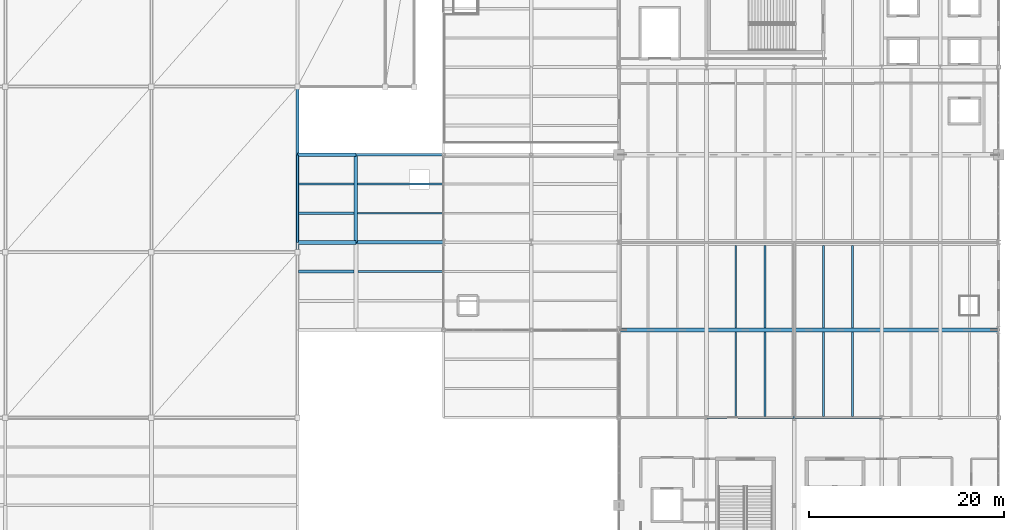
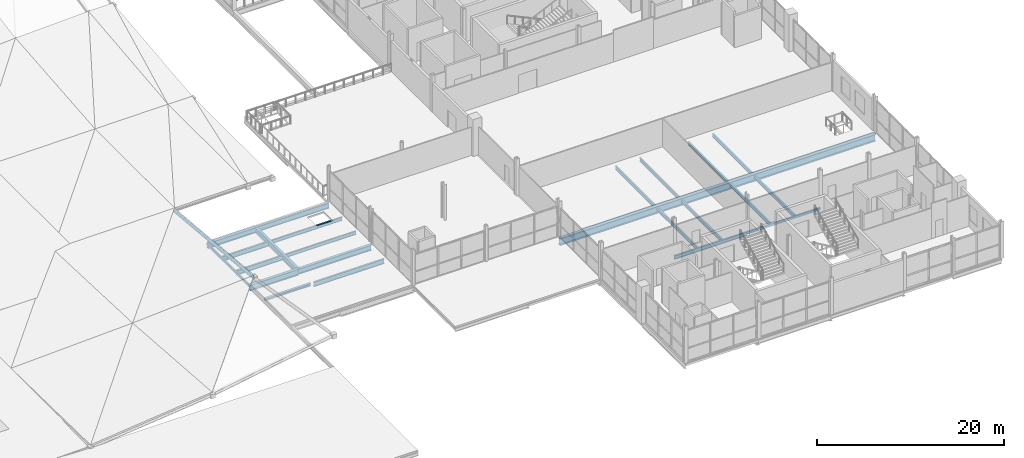
# One storey, part 18 of 69: 23 beams, 1 member.
"""IFC4 building model written with IfcOpenShell, lengths in metres."""

import ifcopenshell
import ifcopenshell.guid

model = None  # the IFC model being written
_history = None  # IfcOwnerHistory: only IFC2X3 demands one
_inside = {}  # id of a spatial element -> (the spatial element, [elements in it])
_under = {}  # id of a project, library or spatial element -> (it, [spatial elements below it])
_declared = {}  # id of a project -> (the project, [libraries it declares])
_typed = {}  # id of a type object -> (the type object, [elements of that type])
_made_of = {}  # id of a material, layer set ... -> (it, [elements and type objects made of it])


def new_model(schema):
    """Start an empty IFC model of exactly this schema.

    Asked for "IFC4X3", IfcOpenShell would pick the latest addendum, in which some entities
    have other attributes; the version numbers below select the first issue.
    IFC2X3 requires an IfcOwnerHistory on every rooted entity: one is made here for all.
    """
    global model, _history
    if schema == "IFC4X3":
        model = ifcopenshell.file(schema_version=(4, 3, 0, 0))
    else:
        model = ifcopenshell.file(schema=schema)
    _inside.clear()
    _under.clear()
    _declared.clear()
    _typed.clear()
    _made_of.clear()
    _history = None
    if model.schema == "IFC2X3":
        org = make("IfcOrganization", Name="unknown")
        user = make(
            "IfcPersonAndOrganization",
            ThePerson=make("IfcPerson", FamilyName="unknown"),
            TheOrganization=org,
        )
        app = make(
            "IfcApplication",
            ApplicationDeveloper=org,
            Version="unknown",
            ApplicationFullName="unknown",
            ApplicationIdentifier="unknown",
        )
        _history = make(
            "IfcOwnerHistory",
            OwningUser=user,
            OwningApplication=app,
            ChangeAction="ADDED",
            CreationDate=0,
        )
    return model


def make(cls, **values):
    """One entity of the class cls with the attributes given. An attribute that is None is left unset."""
    return model.create_entity(
        cls, **{name: value for name, value in values.items() if value is not None}
    )


def rooted(cls, **values):
    """An entity with a GlobalId (a new one), such as an element, a storey or a relation."""
    return make(cls, GlobalId=ifcopenshell.guid.new(), OwnerHistory=_history, **values)


def si_unit(unit_type, name, prefix=None):
    """IfcSIUnit, for example si_unit("LENGTHUNIT", "METRE", prefix="MILLI")."""
    return make("IfcSIUnit", UnitType=unit_type, Prefix=prefix, Name=name)


def assignment(units):
    """IfcUnitAssignment: the units of a project."""
    return None if units is None else make("IfcUnitAssignment", Units=units)


def point(xyz):
    """IfcCartesianPoint."""
    return None if xyz is None else make("IfcCartesianPoint", Coordinates=xyz)


def direction(xyz):
    """IfcDirection."""
    return None if xyz is None else make("IfcDirection", DirectionRatios=xyz)


def frame(location, z_axis=None, x_axis=None):
    """IfcAxis2Placement3D, a coordinate frame: its origin and axes. An axis left out is left unset."""
    return make(
        "IfcAxis2Placement3D",
        Location=point(location),
        Axis=direction(z_axis),
        RefDirection=direction(x_axis),
    )


def frame_2d(location, x_axis=None):
    """IfcAxis2Placement2D, a coordinate frame in the plane: its origin and x axis."""
    return make(
        "IfcAxis2Placement2D", Location=point(location), RefDirection=direction(x_axis)
    )


def origin():
    """The frame at (0, 0, 0) with its axes left unset."""
    return frame((0.0, 0.0, 0.0))


def origin_2d():
    """The frame at (0, 0) in the plane with its x axis left unset."""
    return frame_2d((0.0, 0.0))


def place(relative_to, where):
    """IfcLocalPlacement: puts the frame where relative to a parent placement (None: the world)."""
    return make(
        "IfcLocalPlacement", PlacementRelTo=relative_to, RelativePlacement=where
    )


def context(
    kind, dimensions, precision=None, world=None, true_north=None, identifier=None
):
    """IfcGeometricRepresentationContext, for example the 3D "Model" context."""
    return make(
        "IfcGeometricRepresentationContext",
        ContextIdentifier=identifier,
        ContextType=kind,
        CoordinateSpaceDimension=dimensions,
        Precision=precision,
        WorldCoordinateSystem=world,
        TrueNorth=true_north,
    )


def subcontext(parent, identifier, kind, view, scale=None):
    """IfcGeometricRepresentationSubContext, for example "Body" below "Model"."""
    return make(
        "IfcGeometricRepresentationSubContext",
        ContextIdentifier=identifier,
        ContextType=kind,
        ParentContext=parent,
        TargetScale=scale,
        TargetView=view,
    )


def project(units=None, contexts=None):
    """IfcProject with its units and contexts."""
    return rooted(
        "IfcProject",
        Name="project",
        RepresentationContexts=contexts,
        UnitsInContext=assignment(units),
    )


def spatial(cls, under=None, at=None, **own):
    """A site, building, storey or space (cls), placed at a placement, below another one or the project."""
    s = rooted(cls, ObjectPlacement=at, **own)
    if under is not None:
        _under.setdefault(under.id(), (under, []))[1].append(s)
    return s


def profile(cls, at=None, kind="AREA", **sizes):
    """A parametric profile (cls). Its sizes go by their IFC names, for example OverallWidth=200.0."""
    return make(cls, ProfileType=kind, Position=at, **sizes)


def hollow_rectangle(**sizes):
    """IfcRectangleHollowProfileDef."""
    return profile("IfcRectangleHollowProfileDef", **sizes)


def hollow_circle(**sizes):
    """IfcCircleHollowProfileDef."""
    return profile("IfcCircleHollowProfileDef", **sizes)


def i_section(**sizes):
    """IfcIShapeProfileDef."""
    return profile("IfcIShapeProfileDef", **sizes)


def extrude(swept, where, along, depth):
    """IfcExtrudedAreaSolid: the profile swept, set in the frame where, extruded along a direction by depth."""
    return make(
        "IfcExtrudedAreaSolid",
        SweptArea=swept,
        Position=where,
        ExtrudedDirection=direction(along),
        Depth=depth,
    )


def shape(context_of_items, identifier, shape_type, items):
    """IfcShapeRepresentation: the items that make up one representation, for example the "Body"."""
    return make(
        "IfcShapeRepresentation",
        ContextOfItems=context_of_items,
        RepresentationIdentifier=identifier,
        RepresentationType=shape_type,
        Items=items,
    )


def material(Name=None, Category=None):
    """IfcMaterial."""
    return make("IfcMaterial", Name=Name, Category=Category)


def material_profile(
    of_material, cross_section, Name=None, Category=None, Priority=None
):
    """IfcMaterialProfile: a cross section and its material."""
    return make(
        "IfcMaterialProfile",
        Name=Name,
        Material=of_material,
        Profile=cross_section,
        Priority=Priority,
        Category=Category,
    )


def profile_set(profiles, Name=None, composite=None):
    """IfcMaterialProfileSet."""
    return make(
        "IfcMaterialProfileSet",
        Name=Name,
        MaterialProfiles=profiles,
        CompositeProfile=composite,
    )


def made_of(thing, what):
    """Note that an element or type object is made of a material, layer set ...; save() writes the relation."""
    if what is not None:
        _made_of.setdefault(what.id(), (what, []))[1].append(thing)
    return thing


def type_object(cls, material=None, **own):
    """A type object (cls), such as IfcWallType, which elements share."""
    return made_of(rooted(cls, **own), material)


def element(
    cls,
    number,
    at=None,
    inside=None,
    cuts=None,
    type_object=None,
    material=None,
    context=None,
    identifier="Body",
    shape_type=None,
    held_by="IfcProductDefinitionShape",
    body=None,
    shapes=None,
    **own,
):
    """One element of the class cls, such as IfcWall. Its Tag is "e" and its number.

    at: its placement. inside: the storey or other place that contains it. cuts: it is an
    opening in that element (IfcRelVoidsElement). A single representation is given by context,
    identifier, shape_type and body (its items); several are given by shapes. held_by: the class
    of the entity that holds the representations. save() writes the other relations.
    """
    e = rooted(cls, Tag="e%d" % number, ObjectPlacement=at, **own)
    if body is not None:
        shapes = [shape(context, identifier, shape_type, body)]
    if shapes is not None:
        e.Representation = make(held_by, Representations=shapes)
    if inside is not None:
        _inside.setdefault(inside.id(), (inside, []))[1].append(e)
    if cuts is not None:
        rooted(
            "IfcRelVoidsElement", RelatingBuildingElement=cuts, RelatedOpeningElement=e
        )
    if type_object is not None:
        _typed.setdefault(type_object.id(), (type_object, []))[1].append(e)
    return made_of(e, material)


def aggregate(whole, parts):
    """IfcRelAggregates: a whole, such as a stair, and the parts it consists of."""
    return rooted("IfcRelAggregates", RelatingObject=whole, RelatedObjects=parts)


def save(model, path):
    """Write the relations noted so far, then the file.

    IfcRelAggregates (storeys below a building ...), IfcRelContainedInSpatialStructure (elements
    in a storey), IfcRelDefinesByType, IfcRelAssociatesMaterial and IfcRelDeclares: one each for
    every whole, place, type object, material and project.
    """
    for whole, parts in _under.values():
        aggregate(whole, parts)
    for where, things in _inside.values():
        rooted(
            "IfcRelContainedInSpatialStructure",
            RelatedElements=things,
            RelatingStructure=where,
        )
    for kind, things in _typed.values():
        rooted("IfcRelDefinesByType", RelatedObjects=things, RelatingType=kind)
    for what, things in _made_of.values():
        rooted("IfcRelAssociatesMaterial", RelatedObjects=things, RelatingMaterial=what)
    for by, libraries in _declared.values():
        rooted("IfcRelDeclares", RelatingContext=by, RelatedDefinitions=libraries)
    model.write(path)


model = new_model("IFC4")

# Units and contexts
model_context = context("Model", 3, precision=1e-05, world=origin(), true_north=direction((0.0, 1.0)))
body_context = subcontext(model_context, "Body", "Model", "MODEL_VIEW")
ifc_project = project(units=[si_unit("LENGTHUNIT", "METRE"), si_unit("AREAUNIT", "SQUARE_METRE"), si_unit("VOLUMEUNIT", "CUBIC_METRE"), si_unit("PLANEANGLEUNIT", "RADIAN"), si_unit("MASSUNIT", "GRAM", prefix="KILO")], contexts=[model_context])

# Site, building, storey
site_placement = place(None, origin())
site = spatial("IfcSite", under=ifc_project, at=site_placement, CompositionType="ELEMENT")
building_placement = place(site_placement, origin())
building = spatial("IfcBuilding", under=site, at=building_placement, Name="Qamarlyn Nura Convention Centre", CompositionType="ELEMENT")
storey_placement = place(building_placement, frame((0.0, 0.0, 15.60009765625)))
storey = spatial("IfcBuildingStorey", under=building, at=storey_placement, Name="L03", CompositionType="ELEMENT", Elevation=15.60009765625)

# Beams
ifc_material_1 = material(Name="Steel ASTM A992", Category="steel")
ifc_material_profile_1 = material_profile(ifc_material_1, i_section(OverallWidth=0.35498046875, OverallDepth=0.695068359375, WebThickness=0.015380859375, FlangeThickness=0.02490234375, FilletRadius=0.01806640625, at=origin_2d()), Name="W690X217")
ifc_profile_set_1 = profile_set([ifc_material_profile_1], Name="Steel ASTM A992")
beam_type_1 = type_object("IfcBeamType", Name="BM-GIRD-690A", PredefinedType="BEAM", material=ifc_profile_set_1)
beam_1_placement = place(storey_placement, frame((126.0, 36.0, -0.522705078125), z_axis=(1.0, 0.0, 0.0), x_axis=(0.0, 1.0, 0.0)))
element("IfcBeam", 1, at=beam_1_placement, inside=storey, type_object=beam_type_1, Name="L03 girder E 10-11", PredefinedType="BEAM", context=body_context, shape_type="SweptSolid", body=[
    extrude(i_section(OverallWidth=0.35498046875, OverallDepth=0.695068359375, WebThickness=0.015380859375, FlangeThickness=0.02490234375, FilletRadius=0.01806640625, at=origin_2d()), origin(), (0.0, 0.0, 1.0), 9.0),
])
beam_2_placement = place(storey_placement, frame((120.0, 45.0, -0.522705078125), z_axis=(1.0, 0.0, 0.0), x_axis=(0.0, 1.0, 0.0)))
element("IfcBeam", 2, at=beam_2_placement, inside=storey, type_object=beam_type_1, Name="L03 girder F 9-10", PredefinedType="BEAM", context=body_context, shape_type="SweptSolid", body=[
    extrude(i_section(OverallWidth=0.35498046875, OverallDepth=0.695068359375, WebThickness=0.015380859375, FlangeThickness=0.02490234375, FilletRadius=0.01806640625, at=origin_2d()), origin(), (0.0, 0.0, 1.0), 6.0),
])
beam_3_placement = place(storey_placement, frame((126.0, 36.0, -0.522705078125), z_axis=(0.0, 1.0, 0.0), x_axis=(-1.0, 0.0, 0.0)))
element("IfcBeam", 3, at=beam_3_placement, inside=storey, type_object=beam_type_1, Name="L03 girder 10 E-F", PredefinedType="BEAM", context=body_context, shape_type="SweptSolid", body=[
    extrude(i_section(OverallWidth=0.35498046875, OverallDepth=0.695068359375, WebThickness=0.015380859375, FlangeThickness=0.02490234375, FilletRadius=0.01806640625, at=origin_2d()), origin(), (0.0, 0.0, 1.0), 9.0),
])
ifc_material_profile_2 = material_profile(ifc_material_1, i_section(OverallWidth=0.25390625, OverallDepth=0.68408203125, WebThickness=0.012451171875, FlangeThickness=0.01904296875, FilletRadius=0.01806640625, at=origin_2d()), Name="W690X140")
ifc_profile_set_2 = profile_set([ifc_material_profile_2], Name="Steel ASTM A992")
beam_type_2 = type_object("IfcBeamType", Name="BM-GIRD-690B", PredefinedType="BEAM", material=ifc_profile_set_2)
beam_4_placement = place(storey_placement, frame((126.0, 45.0, -0.51708984375), z_axis=(1.0, 0.0, 0.0), x_axis=(0.0, 1.0, 0.0)))
element("IfcBeam", 4, at=beam_4_placement, inside=storey, type_object=beam_type_2, Name="L03 girder F 10-11", PredefinedType="BEAM", context=body_context, shape_type="SweptSolid", body=[
    extrude(i_section(OverallWidth=0.25390625, OverallDepth=0.68408203125, WebThickness=0.012451171875, FlangeThickness=0.01904296875, FilletRadius=0.01806640625, at=origin_2d()), origin(), (0.0, 0.0, 1.0), 9.0),
])
ifc_material_profile_3 = material_profile(ifc_material_1, i_section(OverallWidth=0.381103515625, OverallDepth=0.77294921875, WebThickness=0.0166015625, FlangeThickness=0.027587890625, FilletRadius=0.02001953125, at=origin_2d()), Name="W760X257")
ifc_profile_set_3 = profile_set([ifc_material_profile_3], Name="Steel ASTM A992")
beam_type_3 = type_object("IfcBeamType", Name="BM-GIRD-760", PredefinedType="BEAM", material=ifc_profile_set_3)
beam_5_placement = place(storey_placement, frame((120.0, 36.0, -0.5615234375), z_axis=(1.0, 0.0, 0.0), x_axis=(0.0, 1.0, 0.0)))
element("IfcBeam", 5, at=beam_5_placement, inside=storey, type_object=beam_type_3, Name="L03 girder E 9-10", PredefinedType="BEAM", context=body_context, shape_type="SweptSolid", body=[
    extrude(i_section(OverallWidth=0.381103515625, OverallDepth=0.77294921875, WebThickness=0.0166015625, FlangeThickness=0.027587890625, FilletRadius=0.02001953125, at=origin_2d()), origin(), (0.0, 0.0, 1.0), 6.0),
])
ifc_material_profile_4 = material_profile(ifc_material_1, i_section(OverallWidth=0.304931640625, OverallDepth=0.30810546875, WebThickness=0.010009765625, FlangeThickness=0.015380859375, FilletRadius=0.014892578125, at=origin_2d()), Name="W310X97")
ifc_profile_set_4 = profile_set([ifc_material_profile_4], Name="Steel ASTM A992")
beam_type_4 = type_object("IfcBeamType", Name="BM-JOIST-310", PredefinedType="JOIST", material=ifc_profile_set_4)
beam_6_placement = place(storey_placement, frame((120.096435546875, 33.0, -0.3291015625), z_axis=(1.0, 0.0, 0.0), x_axis=(0.0, 1.0, 0.0)))
element("IfcBeam", 6, at=beam_6_placement, inside=storey, type_object=beam_type_4, Name="L03 composite joist 9-10/D+2", PredefinedType="JOIST", context=body_context, shape_type="SweptSolid", body=[
    extrude(i_section(OverallWidth=0.304931640625, OverallDepth=0.30810546875, WebThickness=0.010009765625, FlangeThickness=0.015380859375, FilletRadius=0.014892578125, at=origin_2d()), origin(), (0.0, 0.0, 1.0), 5.713134765625),
])
ifc_material_profile_5 = material_profile(ifc_material_1, i_section(OverallWidth=0.18994140625, OverallDepth=0.45703125, WebThickness=0.009033203125, FlangeThickness=0.014404296875, FilletRadius=0.012939453125, at=origin_2d()), Name="W460X74")
ifc_profile_set_5 = profile_set([ifc_material_profile_5], Name="Steel ASTM A992")
beam_type_5 = type_object("IfcBeamType", Name="BM-JOIST-460", PredefinedType="JOIST", material=ifc_profile_set_5)
for number, where, z_axis, x_axis, name in (
    (7, (126.177490234375, 39.0, -0.403564453125), (1.0, 0.0, 0.0), (0.0, 1.0, 0.0), "L03 composite joist 10-11/E+1"),
    (8, (126.177490234375, 42.0, -0.403564453125), (1.0, 0.0, 0.0), (0.0, 1.0, 0.0), "L03 composite joist 10-11/E+2"),
):
    element("IfcBeam", number, at=place(storey_placement, frame(where, z_axis=z_axis, x_axis=x_axis)), inside=storey, type_object=beam_type_5, Name=name, PredefinedType="JOIST", context=body_context, shape_type="SweptSolid", body=[
        extrude(i_section(OverallWidth=0.18994140625, OverallDepth=0.45703125, WebThickness=0.009033203125, FlangeThickness=0.014404296875, FilletRadius=0.012939453125, at=origin_2d()), origin(), (0.0, 0.0, 1.0), 8.72607421875),
    ])
for number, where, z_axis, x_axis, name in (
    (9, (165.0, 18.096435546875, -0.4287109375), (0.0, 1.0, 0.0), (-1.0, 0.0, 0.0), "L03 secondary joist 14-15/C-D-16"),
    (10, (168.0, 18.096435546875, -0.4287109375), (0.0, 1.0, 0.0), (-1.0, 0.0, 0.0), "L03 secondary joist 14-15/C-D-17"),
):
    element("IfcBeam", number, at=place(storey_placement, frame(where, z_axis=z_axis, x_axis=x_axis)), inside=storey, type_object=beam_type_5, Name=name, PredefinedType="JOIST", context=body_context, shape_type="SweptSolid", body=[
        extrude(i_section(OverallWidth=0.18994140625, OverallDepth=0.45703125, WebThickness=0.009033203125, FlangeThickness=0.014404296875, FilletRadius=0.012939453125, at=origin_2d()), origin(), (0.0, 0.0, 1.0), 8.694580078125),
    ])
for number, where, z_axis, x_axis, name in (
    (11, (165.0, 27.208984375, -0.4287109375), (0.0, 1.0, 0.0), (-1.0, 0.0, 0.0), "L03 secondary joist 14-15/D-E-18"),
    (12, (168.0, 27.208984375, -0.4287109375), (0.0, 1.0, 0.0), (-1.0, 0.0, 0.0), "L03 secondary joist 14-15/D-E-19"),
):
    element("IfcBeam", number, at=place(storey_placement, frame(where, z_axis=z_axis, x_axis=x_axis)), inside=storey, type_object=beam_type_5, Name=name, PredefinedType="JOIST", context=body_context, shape_type="SweptSolid", body=[
        extrude(i_section(OverallWidth=0.18994140625, OverallDepth=0.45703125, WebThickness=0.009033203125, FlangeThickness=0.014404296875, FilletRadius=0.012939453125, at=origin_2d()), origin(), (0.0, 0.0, 1.0), 8.490966796875),
    ])
for number, where, z_axis, x_axis, name in (
    (13, (174.0, 18.10009765625, -0.4287109375), (0.0, 1.0, 0.0), (-1.0, 0.0, 0.0), "L03 secondary joist 15-16/C-D-26"),
    (14, (177.0, 18.10009765625, -0.4287109375), (0.0, 1.0, 0.0), (-1.0, 0.0, 0.0), "L03 secondary joist 15-16/C-D-27"),
):
    element("IfcBeam", number, at=place(storey_placement, frame(where, z_axis=z_axis, x_axis=x_axis)), inside=storey, type_object=beam_type_5, Name=name, PredefinedType="JOIST", context=body_context, shape_type="SweptSolid", body=[
        extrude(i_section(OverallWidth=0.18994140625, OverallDepth=0.45703125, WebThickness=0.009033203125, FlangeThickness=0.014404296875, FilletRadius=0.012939453125, at=origin_2d()), origin(), (0.0, 0.0, 1.0), 8.69091796875),
    ])
for number, where, z_axis, x_axis, name in (
    (15, (174.0, 27.208984375, -0.4287109375), (0.0, 1.0, 0.0), (-1.0, 0.0, 0.0), "L03 secondary joist 15-16/D-E-28"),
    (16, (177.0, 27.208984375, -0.4287109375), (0.0, 1.0, 0.0), (-1.0, 0.0, 0.0), "L03 secondary joist 15-16/D-E-29"),
):
    element("IfcBeam", number, at=place(storey_placement, frame(where, z_axis=z_axis, x_axis=x_axis)), inside=storey, type_object=beam_type_5, Name=name, PredefinedType="JOIST", context=body_context, shape_type="SweptSolid", body=[
        extrude(i_section(OverallWidth=0.18994140625, OverallDepth=0.45703125, WebThickness=0.009033203125, FlangeThickness=0.014404296875, FilletRadius=0.012939453125, at=origin_2d()), origin(), (0.0, 0.0, 1.0), 8.490966796875),
    ])
ifc_material_profile_6 = material_profile(ifc_material_1, i_section(OverallWidth=0.22802734375, OverallDepth=0.60791015625, WebThickness=0.01123046875, FlangeThickness=0.017333984375, FilletRadius=0.01611328125, at=origin_2d()), Name="W610X113")
ifc_profile_set_6 = profile_set([ifc_material_profile_6], Name="Steel ASTM A992")
beam_type_6 = type_object("IfcBeamType", Name="BM-JOIST-610", PredefinedType="JOIST", material=ifc_profile_set_6)
for number, where, z_axis, x_axis, name in (
    (17, (120.10009765625, 39.0, -0.47900390625), (1.0, 0.0, 0.0), (0.0, 1.0, 0.0), "L03 composite joist 9-10/E+1"),
    (18, (120.10009765625, 42.0, -0.47900390625), (1.0, 0.0, 0.0), (0.0, 1.0, 0.0), "L03 composite joist 9-10/E+2"),
):
    element("IfcBeam", number, at=place(storey_placement, frame(where, z_axis=z_axis, x_axis=x_axis)), inside=storey, type_object=beam_type_6, Name=name, PredefinedType="JOIST", context=body_context, shape_type="SweptSolid", body=[
        extrude(i_section(OverallWidth=0.22802734375, OverallDepth=0.60791015625, WebThickness=0.01123046875, FlangeThickness=0.017333984375, FilletRadius=0.01611328125, at=origin_2d()), origin(), (0.0, 0.0, 1.0), 5.722412109375),
    ])
beam_7_placement = place(storey_placement, frame((126.1904296875, 33.0, -0.47900390625), z_axis=(1.0, 0.0, 0.0), x_axis=(0.0, 1.0, 0.0)))
element("IfcBeam", 19, at=beam_7_placement, inside=storey, type_object=beam_type_6, Name="L03 composite joist 10-11/D+2", PredefinedType="JOIST", context=body_context, shape_type="SweptSolid", body=[
    extrude(i_section(OverallWidth=0.22802734375, OverallDepth=0.60791015625, WebThickness=0.01123046875, FlangeThickness=0.017333984375, FilletRadius=0.01611328125, at=origin_2d()), origin(), (0.0, 0.0, 1.0), 8.7041015625),
])
ifc_material_profile_7 = material_profile(ifc_material_1, i_section(OverallWidth=0.193115234375, OverallDepth=0.466064453125, WebThickness=0.011474609375, FlangeThickness=0.01904296875, FilletRadius=0.012939453125, at=origin_2d()), Name="W460X97")
ifc_profile_set_7 = profile_set([ifc_material_profile_7], Name="Steel ASTM A992")
beam_type_7 = type_object("IfcBeamType", Name="BM-SPAN-460", PredefinedType="SPANDREL", material=ifc_profile_set_7)
beam_8_placement = place(storey_placement, frame((162.0, 18.0, -0.43310546875), z_axis=(1.0, 0.0, 0.0), x_axis=(0.0, 1.0, 0.0)))
element("IfcBeam", 20, at=beam_8_placement, inside=storey, type_object=beam_type_7, Name="L03 girder C 14-15", PredefinedType="SPANDREL", context=body_context, shape_type="SweptSolid", body=[
    extrude(i_section(OverallWidth=0.193115234375, OverallDepth=0.466064453125, WebThickness=0.011474609375, FlangeThickness=0.01904296875, FilletRadius=0.012939453125, at=origin_2d()), origin(), (0.0, 0.0, 1.0), 9.0),
])
ifc_material_2 = material(Name="Steel ASTM A500 Grade C", Category="steel")
ifc_material_profile_8 = material_profile(ifc_material_2, hollow_rectangle(XDim=0.199951171875, YDim=0.300048828125, WallThickness=0.012451171875, InnerFilletRadius=0.012451171875, OuterFilletRadius=0.02490234375, at=origin_2d()), Name="HSS300X200X12.5")
ifc_profile_set_8 = profile_set([ifc_material_profile_8], Name="Steel ASTM A500 Grade C")
beam_type_8 = type_object("IfcBeamType", Name="BM-SPAN-HSS", PredefinedType="SPANDREL", material=ifc_profile_set_8)
for number, where, z_axis, x_axis, name in (
    (21, (171.0, 18.0, -0.35009765625), (1.0, 0.0, 0.0), (0.0, 1.0, 0.0), "L03 girder C 15-16"),
    (22, (120.0, 36.0, -0.3251953125), (0.0, 1.0, 0.0), (-1.0, 0.0, 0.0), "L03 girder 9 E-F"),
):
    element("IfcBeam", number, at=place(storey_placement, frame(where, z_axis=z_axis, x_axis=x_axis)), inside=storey, type_object=beam_type_8, Name=name, PredefinedType="SPANDREL", context=body_context, shape_type="SweptSolid", body=[
        extrude(hollow_rectangle(XDim=0.199951171875, YDim=0.300048828125, WallThickness=0.012451171875, InnerFilletRadius=0.012451171875, OuterFilletRadius=0.02490234375, at=origin_2d()), origin(), (0.0, 0.0, 1.0), 9.0),
    ])
ifc_material_profile_9 = material_profile(ifc_material_1, i_section(OverallWidth=0.41796875, OverallDepth=0.912109375, WebThickness=0.019287109375, FlangeThickness=0.031982421875, FilletRadius=0.02392578125, at=origin_2d()), Name="W920X342")
ifc_profile_set_9 = profile_set([ifc_material_profile_9], Name="Steel ASTM A992")
beam_type_9 = type_object("IfcBeamType", Name="BM-TRANSFER-920", PredefinedType="BEAM", material=ifc_profile_set_9)
beam_9_placement = place(storey_placement, frame((153.0, 27.0, -0.656005859375), z_axis=(1.0, 0.0, 0.0), x_axis=(0.0, 1.0, 0.0)))
element("IfcBeam", 23, at=beam_9_placement, inside=storey, type_object=beam_type_9, Name="L03 Warren transfer structure girder D 13-18", PredefinedType="BEAM", context=body_context, shape_type="SweptSolid", body=[
    extrude(i_section(OverallWidth=0.41796875, OverallDepth=0.912109375, WebThickness=0.019287109375, FlangeThickness=0.031982421875, FilletRadius=0.02392578125, at=origin_2d()), origin(), (0.0, 0.0, 1.0), 39.0),
])

# Member
ifc_material_3 = material(Name="Pearl-white PVDF steel ASTM A500 Grade C", Category="steel")
ifc_material_profile_10 = material_profile(ifc_material_3, hollow_circle(Radius=0.177734375, WallThickness=0.01611328125, at=origin_2d()), Name="CHS355.6X16")
ifc_profile_set_10 = profile_set([ifc_material_profile_10], Name="Pearl-white PVDF steel ASTM A500 Grade C")
member_type = type_object("IfcMemberType", Name="SF-TC-HEAVY", PredefinedType="CHORD", material=ifc_profile_set_10)
member_placement = place(storey_placement, frame((120.0, 35.0, 1.28369140625), z_axis=(0.0, 0.995888281299, -0.090589906562), x_axis=(-1.0, 0.0, 0.0)))
element("IfcMember", 24, at=member_placement, inside=storey, type_object=member_type, Name="ROOF TRUSS space frame top chord Y10-3", PredefinedType="CHORD", context=body_context, shape_type="SweptSolid", body=[
    extrude(hollow_circle(Radius=0.177734375, WallThickness=0.01611328125, at=origin_2d()), origin(), (0.0, 0.0, 1.0), 17.070068359375),
])

save(model, "model.ifc")
